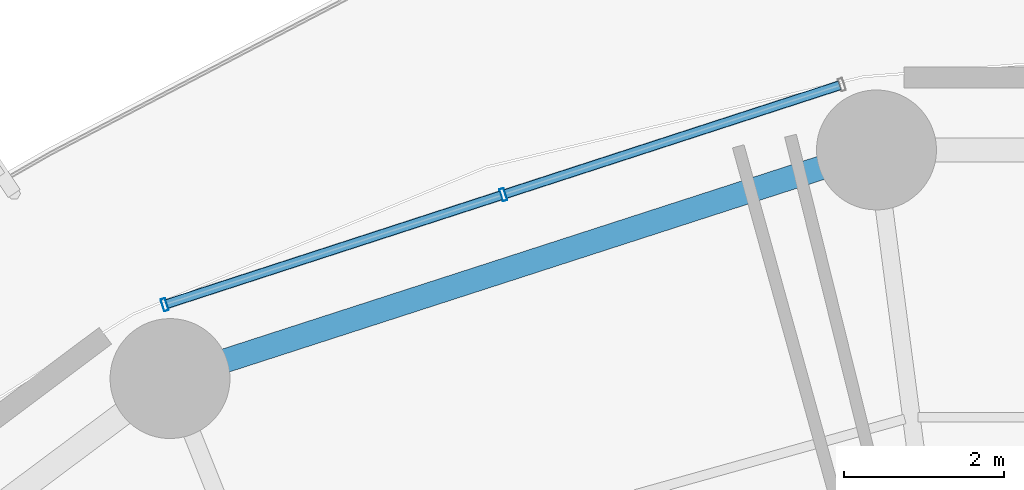
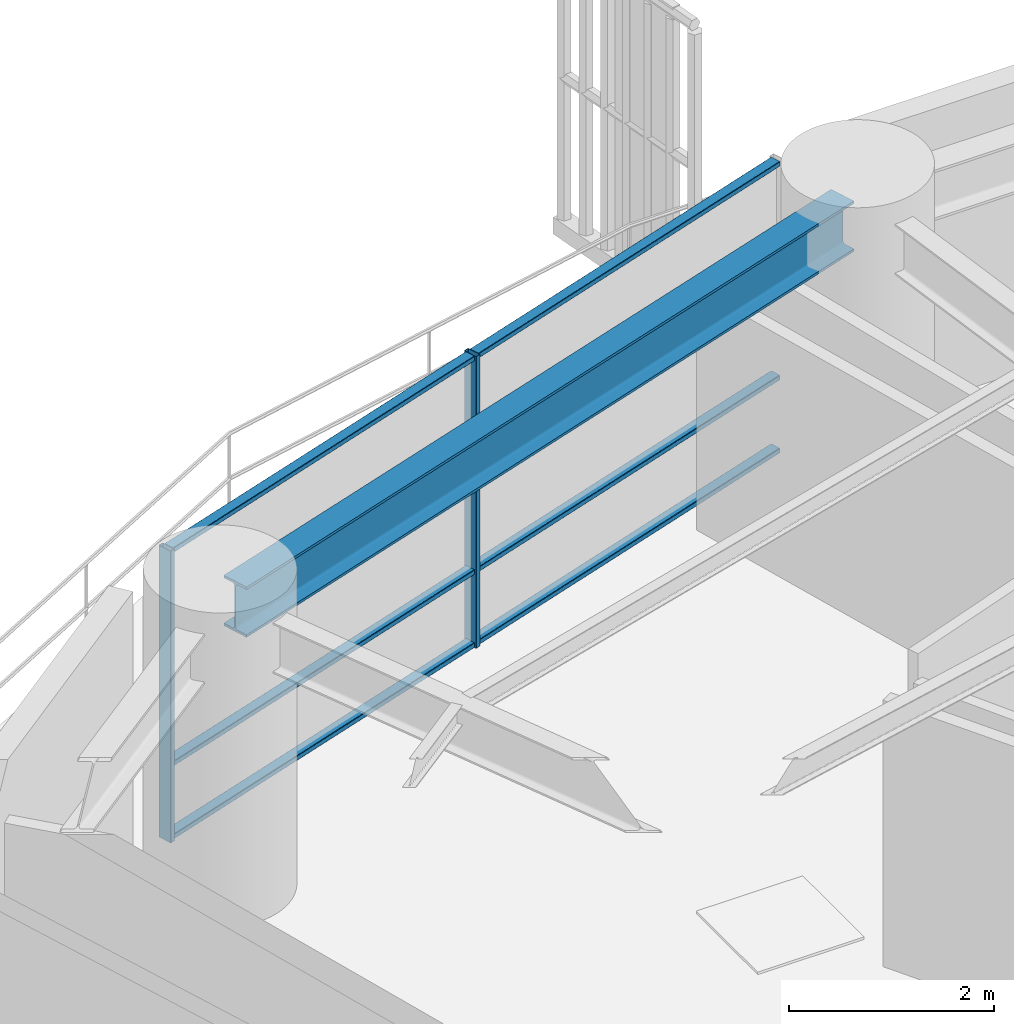
# One storey, part 17 of 33: 8 members, 1 beam, 1 element without a shape of its own.
"""IFC4 building model written with IfcOpenShell, lengths in metres."""

import ifcopenshell
import ifcopenshell.guid

model = None  # the IFC model being written
_history = None  # IfcOwnerHistory: only IFC2X3 demands one
_inside = {}  # id of a spatial element -> (the spatial element, [elements in it])
_under = {}  # id of a project, library or spatial element -> (it, [spatial elements below it])
_declared = {}  # id of a project -> (the project, [libraries it declares])
_typed = {}  # id of a type object -> (the type object, [elements of that type])
_made_of = {}  # id of a material, layer set ... -> (it, [elements and type objects made of it])


def new_model(schema):
    """Start an empty IFC model of exactly this schema.

    Asked for "IFC4X3", IfcOpenShell would pick the latest addendum, in which some entities
    have other attributes; the version numbers below select the first issue.
    IFC2X3 requires an IfcOwnerHistory on every rooted entity: one is made here for all.
    """
    global model, _history
    if schema == "IFC4X3":
        model = ifcopenshell.file(schema_version=(4, 3, 0, 0))
    else:
        model = ifcopenshell.file(schema=schema)
    _inside.clear()
    _under.clear()
    _declared.clear()
    _typed.clear()
    _made_of.clear()
    _history = None
    if model.schema == "IFC2X3":
        org = make("IfcOrganization", Name="unknown")
        user = make(
            "IfcPersonAndOrganization",
            ThePerson=make("IfcPerson", FamilyName="unknown"),
            TheOrganization=org,
        )
        app = make(
            "IfcApplication",
            ApplicationDeveloper=org,
            Version="unknown",
            ApplicationFullName="unknown",
            ApplicationIdentifier="unknown",
        )
        _history = make(
            "IfcOwnerHistory",
            OwningUser=user,
            OwningApplication=app,
            ChangeAction="ADDED",
            CreationDate=0,
        )
    return model


def make(cls, **values):
    """One entity of the class cls with the attributes given. An attribute that is None is left unset."""
    return model.create_entity(
        cls, **{name: value for name, value in values.items() if value is not None}
    )


def rooted(cls, **values):
    """An entity with a GlobalId (a new one), such as an element, a storey or a relation."""
    return make(cls, GlobalId=ifcopenshell.guid.new(), OwnerHistory=_history, **values)


def si_unit(unit_type, name, prefix=None):
    """IfcSIUnit, for example si_unit("LENGTHUNIT", "METRE", prefix="MILLI")."""
    return make("IfcSIUnit", UnitType=unit_type, Prefix=prefix, Name=name)


def assignment(units):
    """IfcUnitAssignment: the units of a project."""
    return None if units is None else make("IfcUnitAssignment", Units=units)


def point(xyz):
    """IfcCartesianPoint."""
    return None if xyz is None else make("IfcCartesianPoint", Coordinates=xyz)


def direction(xyz):
    """IfcDirection."""
    return None if xyz is None else make("IfcDirection", DirectionRatios=xyz)


def frame(location, z_axis=None, x_axis=None):
    """IfcAxis2Placement3D, a coordinate frame: its origin and axes. An axis left out is left unset."""
    return make(
        "IfcAxis2Placement3D",
        Location=point(location),
        Axis=direction(z_axis),
        RefDirection=direction(x_axis),
    )


def frame_2d(location, x_axis=None):
    """IfcAxis2Placement2D, a coordinate frame in the plane: its origin and x axis."""
    return make(
        "IfcAxis2Placement2D", Location=point(location), RefDirection=direction(x_axis)
    )


def origin():
    """The frame at (0, 0, 0) with its axes left unset."""
    return frame((0.0, 0.0, 0.0))


def origin_2d():
    """The frame at (0, 0) in the plane with its x axis left unset."""
    return frame_2d((0.0, 0.0))


def place(relative_to, where):
    """IfcLocalPlacement: puts the frame where relative to a parent placement (None: the world)."""
    return make(
        "IfcLocalPlacement", PlacementRelTo=relative_to, RelativePlacement=where
    )


def context(
    kind, dimensions, precision=None, world=None, true_north=None, identifier=None
):
    """IfcGeometricRepresentationContext, for example the 3D "Model" context."""
    return make(
        "IfcGeometricRepresentationContext",
        ContextIdentifier=identifier,
        ContextType=kind,
        CoordinateSpaceDimension=dimensions,
        Precision=precision,
        WorldCoordinateSystem=world,
        TrueNorth=true_north,
    )


def subcontext(parent, identifier, kind, view, scale=None):
    """IfcGeometricRepresentationSubContext, for example "Body" below "Model"."""
    return make(
        "IfcGeometricRepresentationSubContext",
        ContextIdentifier=identifier,
        ContextType=kind,
        ParentContext=parent,
        TargetScale=scale,
        TargetView=view,
    )


def project(units=None, contexts=None):
    """IfcProject with its units and contexts."""
    return rooted(
        "IfcProject",
        Name="project",
        RepresentationContexts=contexts,
        UnitsInContext=assignment(units),
    )


def spatial(cls, under=None, at=None, **own):
    """A site, building, storey or space (cls), placed at a placement, below another one or the project."""
    s = rooted(cls, ObjectPlacement=at, **own)
    if under is not None:
        _under.setdefault(under.id(), (under, []))[1].append(s)
    return s


def profile(cls, at=None, kind="AREA", **sizes):
    """A parametric profile (cls). Its sizes go by their IFC names, for example OverallWidth=200.0."""
    return make(cls, ProfileType=kind, Position=at, **sizes)


def hollow_rectangle(**sizes):
    """IfcRectangleHollowProfileDef."""
    return profile("IfcRectangleHollowProfileDef", **sizes)


def i_section(**sizes):
    """IfcIShapeProfileDef."""
    return profile("IfcIShapeProfileDef", **sizes)


def extrude(swept, where, along, depth):
    """IfcExtrudedAreaSolid: the profile swept, set in the frame where, extruded along a direction by depth."""
    return make(
        "IfcExtrudedAreaSolid",
        SweptArea=swept,
        Position=where,
        ExtrudedDirection=direction(along),
        Depth=depth,
    )


def shape(context_of_items, identifier, shape_type, items):
    """IfcShapeRepresentation: the items that make up one representation, for example the "Body"."""
    return make(
        "IfcShapeRepresentation",
        ContextOfItems=context_of_items,
        RepresentationIdentifier=identifier,
        RepresentationType=shape_type,
        Items=items,
    )


def material(Name=None, Category=None):
    """IfcMaterial."""
    return make("IfcMaterial", Name=Name, Category=Category)


def layer(
    of_material, thickness, ventilated=None, Name=None, Category=None, Priority=None
):
    """IfcMaterialLayer: one layer of a wall or slab, of a material (None: an air gap)."""
    return make(
        "IfcMaterialLayer",
        Material=of_material,
        LayerThickness=thickness,
        IsVentilated=ventilated,
        Name=Name,
        Category=Category,
        Priority=Priority,
    )


def layer_set(layers, Name=None):
    """IfcMaterialLayerSet."""
    return make("IfcMaterialLayerSet", MaterialLayers=layers, LayerSetName=Name)


def material_profile(
    of_material, cross_section, Name=None, Category=None, Priority=None
):
    """IfcMaterialProfile: a cross section and its material."""
    return make(
        "IfcMaterialProfile",
        Name=Name,
        Material=of_material,
        Profile=cross_section,
        Priority=Priority,
        Category=Category,
    )


def profile_set(profiles, Name=None, composite=None):
    """IfcMaterialProfileSet."""
    return make(
        "IfcMaterialProfileSet",
        Name=Name,
        MaterialProfiles=profiles,
        CompositeProfile=composite,
    )


def made_of(thing, what):
    """Note that an element or type object is made of a material, layer set ...; save() writes the relation."""
    if what is not None:
        _made_of.setdefault(what.id(), (what, []))[1].append(thing)
    return thing


def type_object(cls, material=None, **own):
    """A type object (cls), such as IfcWallType, which elements share."""
    return made_of(rooted(cls, **own), material)


def element(
    cls,
    number,
    at=None,
    inside=None,
    cuts=None,
    type_object=None,
    material=None,
    context=None,
    identifier="Body",
    shape_type=None,
    held_by="IfcProductDefinitionShape",
    body=None,
    shapes=None,
    **own,
):
    """One element of the class cls, such as IfcWall. Its Tag is "e" and its number.

    at: its placement. inside: the storey or other place that contains it. cuts: it is an
    opening in that element (IfcRelVoidsElement). A single representation is given by context,
    identifier, shape_type and body (its items); several are given by shapes. held_by: the class
    of the entity that holds the representations. save() writes the other relations.
    """
    e = rooted(cls, Tag="e%d" % number, ObjectPlacement=at, **own)
    if body is not None:
        shapes = [shape(context, identifier, shape_type, body)]
    if shapes is not None:
        e.Representation = make(held_by, Representations=shapes)
    if inside is not None:
        _inside.setdefault(inside.id(), (inside, []))[1].append(e)
    if cuts is not None:
        rooted(
            "IfcRelVoidsElement", RelatingBuildingElement=cuts, RelatedOpeningElement=e
        )
    if type_object is not None:
        _typed.setdefault(type_object.id(), (type_object, []))[1].append(e)
    return made_of(e, material)


def aggregate(whole, parts):
    """IfcRelAggregates: a whole, such as a stair, and the parts it consists of."""
    return rooted("IfcRelAggregates", RelatingObject=whole, RelatedObjects=parts)


def save(model, path):
    """Write the relations noted so far, then the file.

    IfcRelAggregates (storeys below a building ...), IfcRelContainedInSpatialStructure (elements
    in a storey), IfcRelDefinesByType, IfcRelAssociatesMaterial and IfcRelDeclares: one each for
    every whole, place, type object, material and project.
    """
    for whole, parts in _under.values():
        aggregate(whole, parts)
    for where, things in _inside.values():
        rooted(
            "IfcRelContainedInSpatialStructure",
            RelatedElements=things,
            RelatingStructure=where,
        )
    for kind, things in _typed.values():
        rooted("IfcRelDefinesByType", RelatedObjects=things, RelatingType=kind)
    for what, things in _made_of.values():
        rooted("IfcRelAssociatesMaterial", RelatedObjects=things, RelatingMaterial=what)
    for by, libraries in _declared.values():
        rooted("IfcRelDeclares", RelatingContext=by, RelatedDefinitions=libraries)
    model.write(path)


model = new_model("IFC4")

# Units and contexts
model_context = context("Model", 3, precision=1e-05, world=origin(), true_north=direction((0.0, 1.0)))
body_context = subcontext(model_context, "Body", "Model", "MODEL_VIEW")
ifc_project = project(units=[si_unit("LENGTHUNIT", "METRE"), si_unit("AREAUNIT", "SQUARE_METRE"), si_unit("VOLUMEUNIT", "CUBIC_METRE"), si_unit("PLANEANGLEUNIT", "RADIAN"), si_unit("MASSUNIT", "GRAM", prefix="KILO")], contexts=[model_context])

# Site, building, storey
site_placement = place(None, origin())
site = spatial("IfcSite", under=ifc_project, at=site_placement, CompositionType="ELEMENT")
building_placement = place(site_placement, origin())
building = spatial("IfcBuilding", under=site, at=building_placement, Name="Kelanora Arch Commons", CompositionType="ELEMENT")
storey_placement = place(building_placement, frame((0.0, 0.0, 26.25)))
storey = spatial("IfcBuildingStorey", under=building, at=storey_placement, Name="L06", CompositionType="ELEMENT", Elevation=26.25)

# Beam
ifc_material_1 = material(Name="Steel S355", Category="steel")
ifc_material_profile_1 = material_profile(ifc_material_1, i_section(OverallWidth=0.300048828125, OverallDepth=0.60009765625, WebThickness=0.015380859375, FlangeThickness=0.030029296875, FilletRadius=0.027099609375, at=origin_2d()), Name="HEB600")
ifc_profile_set_1 = profile_set([ifc_material_profile_1], Name="Steel S355")
beam_type = type_object("IfcBeamType", Name="BM-SPN-Z1", PredefinedType="SPANDREL", material=ifc_profile_set_1)
beam_placement = place(storey_placement, frame((69.08837890625, 81.646484375, 3.18994140625), z_axis=(-0.951411479564, -0.307922387224, 0.0), x_axis=(0.307922387224, -0.951411479564, 0.0)))
element("IfcBeam", 1, at=beam_placement, inside=storey, type_object=beam_type, Name="Perimeter Spandrel Beam BS-10 L06", PredefinedType="SPANDREL", context=body_context, shape_type="SweptSolid", body=[
    extrude(i_section(OverallWidth=0.300048828125, OverallDepth=0.60009765625, WebThickness=0.015380859375, FlangeThickness=0.030029296875, FilletRadius=0.027099609375, at=origin_2d()), origin(), (0.0, 0.0, 1.0), 8.84912109375),
])

# Curtain wall, members
ifc_material_2 = material(Name="Terracotta ceramic-fritted low-E glass and aluminium", Category="masonry")
ifc_layer = layer(ifc_material_2, 0.159912109375)
ifc_layer_set = layer_set([ifc_layer], Name="Terracotta ceramic-fritted low-E glass and aluminium")
curtain_wall_type = type_object("IfcCurtainWallType", Name="CW-SYS-01", PredefinedType="NOTDEFINED", material=ifc_layer_set)
curtain_wall_placement = place(storey_placement, origin())
curtain_wall = element("IfcCurtainWall", 2, at=curtain_wall_placement, inside=storey, type_object=curtain_wall_type, Name="Unitised Curtain Wall L06-B05", PredefinedType="NOTDEFINED")
ifc_material_3 = material(Name="Powder-coated aluminium terracotta", Category="masonry")
ifc_material_profile_2 = material_profile(ifc_material_3, hollow_rectangle(XDim=0.159912109375, YDim=0.06005859375, WallThickness=0.0048828125, InnerFilletRadius=0.0048828125, OuterFilletRadius=0.010009765625, at=origin_2d()), Name="CWM160x60")
ifc_profile_set_2 = profile_set([ifc_material_profile_2], Name="Powder-coated aluminium terracotta")
member_type_1 = type_object("IfcMemberType", Name="CWM-STD", PredefinedType="MULLION", material=ifc_profile_set_2)
member_1_placement = place(storey_placement, frame((64.62890625, 81.15478515625, 0.0), z_axis=(0.0, 0.0, 1.0), x_axis=(0.30905758454, -0.951043326793, 0.0)))
member_1 = element("IfcMember", 3, at=member_1_placement, type_object=member_type_1, Name="CW-01 mullion 2", PredefinedType="MULLION", context=body_context, shape_type="SweptSolid", body=[
    extrude(hollow_rectangle(XDim=0.159912109375, YDim=0.06005859375, WallThickness=0.0048828125, InnerFilletRadius=0.0048828125, OuterFilletRadius=0.010009765625, at=origin_2d()), origin(), (0.0, 0.0, 1.0), 3.47509765625),
])
member_2_placement = place(storey_placement, frame((60.392333984375, 79.778076171875, 0.0), z_axis=(0.0, 0.0, 1.0), x_axis=(0.30905758454, -0.951043326793, 0.0)))
member_2 = element("IfcMember", 4, at=member_2_placement, type_object=member_type_1, Name="CW-01 mullion 3", PredefinedType="MULLION", context=body_context, shape_type="SweptSolid", body=[
    extrude(hollow_rectangle(XDim=0.159912109375, YDim=0.06005859375, WallThickness=0.0048828125, InnerFilletRadius=0.0048828125, OuterFilletRadius=0.010009765625, at=origin_2d()), origin(), (0.0, 0.0, 1.0), 3.47509765625),
])
ifc_material_profile_3 = material_profile(ifc_material_3, hollow_rectangle(XDim=0.1201171875, YDim=0.06005859375, WallThickness=0.0048828125, InnerFilletRadius=0.0048828125, OuterFilletRadius=0.010009765625, at=origin_2d()), Name="CWT120x60")
ifc_profile_set_3 = profile_set([ifc_material_profile_3], Name="Powder-coated aluminium terracotta")
member_type_2 = type_object("IfcMemberType", Name="CWT-STD", PredefinedType="USERDEFINED", material=ifc_profile_set_3)
member_3_placement = place(storey_placement, frame((68.8369140625, 82.5224609375, 0.030029296875), z_axis=(-0.951028761285, -0.309102402464, 0.0), x_axis=(0.309102402464, -0.951028761285, 0.0)))
member_3 = element("IfcMember", 5, at=member_3_placement, type_object=member_type_2, Name="CW-01 transom 1.1", ObjectType="TRANSOM", PredefinedType="USERDEFINED", context=body_context, shape_type="SweptSolid", body=[
    extrude(hollow_rectangle(XDim=0.1201171875, YDim=0.06005859375, WallThickness=0.0048828125, InnerFilletRadius=0.0048828125, OuterFilletRadius=0.010009765625, at=origin_2d()), origin(), (0.0, 0.0, 1.0), 4.394775390625),
])
member_4_placement = place(storey_placement, frame((68.8369140625, 82.5224609375, 0.89990234375), z_axis=(-0.951028761285, -0.309102402464, 0.0), x_axis=(0.309102402464, -0.951028761285, 0.0)))
member_4 = element("IfcMember", 6, at=member_4_placement, type_object=member_type_2, Name="CW-01 transom 1.2", ObjectType="TRANSOM", PredefinedType="USERDEFINED", context=body_context, shape_type="SweptSolid", body=[
    extrude(hollow_rectangle(XDim=0.1201171875, YDim=0.06005859375, WallThickness=0.0048828125, InnerFilletRadius=0.0048828125, OuterFilletRadius=0.010009765625, at=origin_2d()), origin(), (0.0, 0.0, 1.0), 4.394775390625),
])
member_5_placement = place(storey_placement, frame((68.8369140625, 82.5224609375, 3.445068359375), z_axis=(-0.951028761285, -0.309102402464, 0.0), x_axis=(0.309102402464, -0.951028761285, 0.0)))
member_5 = element("IfcMember", 7, at=member_5_placement, type_object=member_type_2, Name="CW-01 transom 1.3", ObjectType="TRANSOM", PredefinedType="USERDEFINED", context=body_context, shape_type="SweptSolid", body=[
    extrude(hollow_rectangle(XDim=0.1201171875, YDim=0.06005859375, WallThickness=0.0048828125, InnerFilletRadius=0.0048828125, OuterFilletRadius=0.010009765625, at=origin_2d()), origin(), (0.0, 0.0, 1.0), 4.394775390625),
])
member_6_placement = place(storey_placement, frame((64.600341796875, 81.1455078125, 0.030029296875), z_axis=(-0.951045091182, -0.309052155047, 0.0), x_axis=(0.309052155047, -0.951045091182, 0.0)))
member_6 = element("IfcMember", 8, at=member_6_placement, type_object=member_type_2, Name="CW-01 transom 2.1", ObjectType="TRANSOM", PredefinedType="USERDEFINED", context=body_context, shape_type="SweptSolid", body=[
    extrude(hollow_rectangle(XDim=0.1201171875, YDim=0.06005859375, WallThickness=0.0048828125, InnerFilletRadius=0.0048828125, OuterFilletRadius=0.010009765625, at=origin_2d()), origin(), (0.0, 0.0, 1.0), 4.39453125),
])
member_7_placement = place(storey_placement, frame((64.600341796875, 81.1455078125, 0.89990234375), z_axis=(-0.951045091182, -0.309052155047, 0.0), x_axis=(0.309052155047, -0.951045091182, 0.0)))
member_7 = element("IfcMember", 9, at=member_7_placement, type_object=member_type_2, Name="CW-01 transom 2.2", ObjectType="TRANSOM", PredefinedType="USERDEFINED", context=body_context, shape_type="SweptSolid", body=[
    extrude(hollow_rectangle(XDim=0.1201171875, YDim=0.06005859375, WallThickness=0.0048828125, InnerFilletRadius=0.0048828125, OuterFilletRadius=0.010009765625, at=origin_2d()), origin(), (0.0, 0.0, 1.0), 4.39453125),
])
member_8_placement = place(storey_placement, frame((64.600341796875, 81.1455078125, 3.445068359375), z_axis=(-0.951045091182, -0.309052155047, 0.0), x_axis=(0.309052155047, -0.951045091182, 0.0)))
member_8 = element("IfcMember", 10, at=member_8_placement, type_object=member_type_2, Name="CW-01 transom 2.3", ObjectType="TRANSOM", PredefinedType="USERDEFINED", context=body_context, shape_type="SweptSolid", body=[
    extrude(hollow_rectangle(XDim=0.1201171875, YDim=0.06005859375, WallThickness=0.0048828125, InnerFilletRadius=0.0048828125, OuterFilletRadius=0.010009765625, at=origin_2d()), origin(), (0.0, 0.0, 1.0), 4.39453125),
])
aggregate(curtain_wall, [member_1, member_2, member_3, member_4, member_5, member_6, member_7, member_8])

save(model, "model.ifc")
